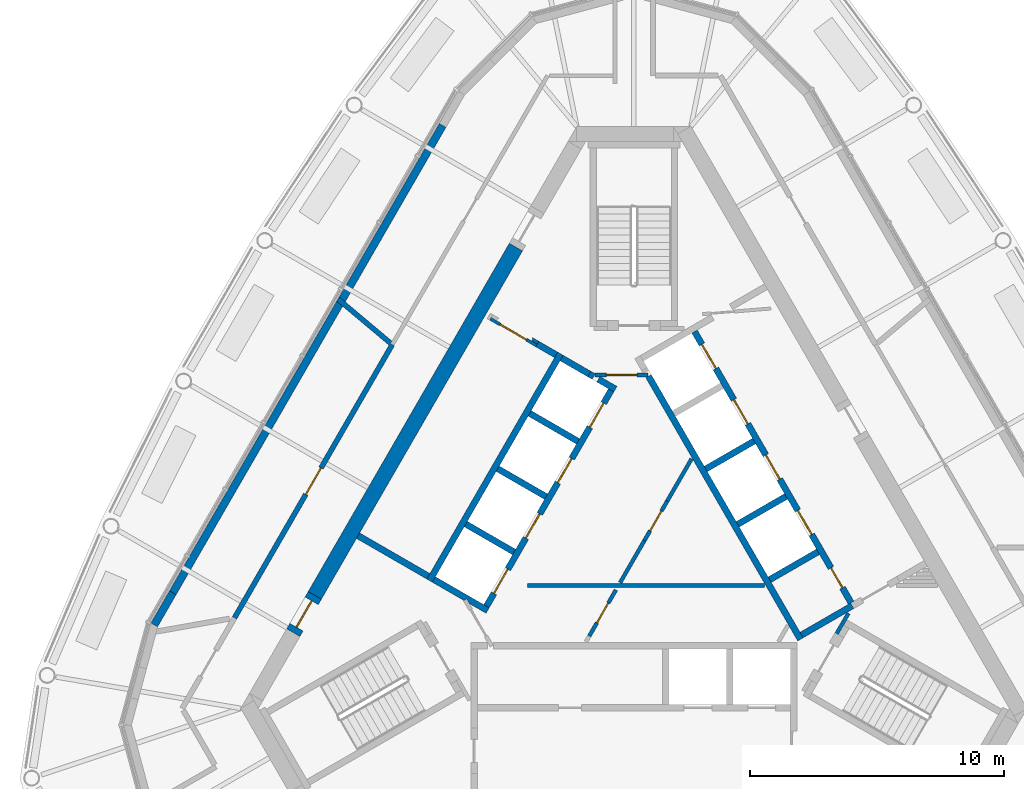
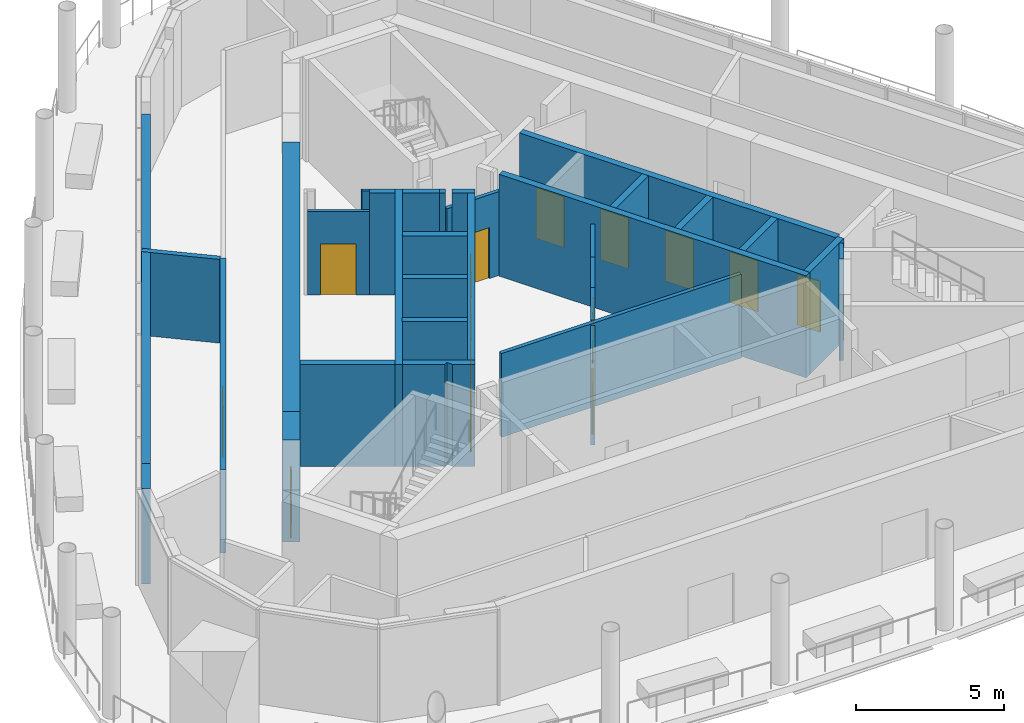
# One storey, part 7 of 15: 32 walls, 15 doors, 15 openings.
"""IFC4 building model written with IfcOpenShell, lengths in metres."""

from ifc_helpers import new_model, si_unit, direction, frame, frame_2d, origin, place, context, subcontext, project, spatial, polyline, rectangle, outline, extrude, material, layer, layer_set, type_object, element, fill, save


model = new_model("IFC4")

# Units and contexts
model_context = context("Model", 3, precision=1e-05, world=origin(), true_north=direction((0.0, 1.0)))
body_context = subcontext(model_context, "Body", "Model", "MODEL_VIEW")
ifc_project = project(units=[si_unit("LENGTHUNIT", "METRE"), si_unit("AREAUNIT", "SQUARE_METRE"), si_unit("VOLUMEUNIT", "CUBIC_METRE"), si_unit("PLANEANGLEUNIT", "RADIAN"), si_unit("MASSUNIT", "GRAM", prefix="KILO")], contexts=[model_context])

# Site, building, storey
site_placement = place(None, origin())
site = spatial("IfcSite", under=ifc_project, at=site_placement, CompositionType="ELEMENT")
building_placement = place(site_placement, origin())
building = spatial("IfcBuilding", under=site, at=building_placement, Name="Mestral Congress Tower", CompositionType="ELEMENT")
storey_placement = place(building_placement, frame((0.0, 0.0, 327.60009765625)))
storey = spatial("IfcBuildingStorey", under=building, at=storey_placement, Name="L76", CompositionType="ELEMENT", Elevation=327.60009765625)

# Walls
ifc_material_1 = material(Name="Fire-rated board partition")
ifc_layer_1 = layer(ifc_material_1, 0.14990234375)
ifc_layer_set_1 = layer_set([ifc_layer_1], Name="Fire-rated board partition")
wall_type_1 = type_object("IfcWallType", Name="Core partition 150", PredefinedType="PARTITIONING", material=ifc_layer_set_1)
wall_1_placement = place(storey_placement, frame((-4.199951171875, -1.5, 0.0), z_axis=(0.0, 0.0, 1.0), x_axis=(1.0, 0.0, 0.0)))
element("IfcWall", 1, at=wall_1_placement, inside=storey, type_object=wall_type_1, Name="L76 core wall", PredefinedType="PARTITIONING", context=body_context, shape_type="SweptSolid", body=[
    extrude(rectangle(XDim=9.359375, YDim=0.14990234375, at=frame_2d((4.6796875, 0.0))), origin(), (0.0, 0.0, 1.0), 3.449951171875),
])
wall_2_placement = place(storey_placement, frame((-0.54443359375, -1.393310546875, 0.0), z_axis=(0.0, 0.0, 1.0), x_axis=(0.499928740635, 0.866066541489, 0.0)))
element("IfcWall", 2, at=wall_2_placement, inside=storey, type_object=wall_type_1, Name="L76 core wall", PredefinedType="PARTITIONING", context=body_context, shape_type="SweptSolid", body=[
    extrude(rectangle(XDim=1.912353515625, YDim=0.14990234375, at=frame_2d((0.9560546875, 0.0))), origin(), (0.0, 0.0, 1.0), 3.449951171875),
])
wall_3_placement = place(storey_placement, frame((1.311767578125, 1.822021484375, 0.0), z_axis=(0.0, 0.0, 1.0), x_axis=(0.500003549559, 0.866023354436, 0.0)))
element("IfcWall", 3, at=wall_3_placement, inside=storey, type_object=wall_type_1, Name="L76 core wall", PredefinedType="PARTITIONING", context=body_context, shape_type="SweptSolid", body=[
    extrude(rectangle(XDim=1.9296875, YDim=0.14990234375, at=frame_2d((0.96484375, 0.0))), origin(), (0.0, 0.0, 1.0), 3.449951171875),
])

# Wall, opening, door
wall_4_placement = place(storey_placement, frame((-1.759765625, -3.498046875, 0.0), z_axis=(0.0, 0.0, 1.0), x_axis=(0.499977374825, 0.866038466041, 0.0)))
wall_4 = element("IfcWall", 4, at=wall_4_placement, inside=storey, type_object=wall_type_1, Name="L76 door wall", PredefinedType="PARTITIONING", context=body_context, shape_type="SweptSolid", body=[
    extrude(rectangle(XDim=2.10009765625, YDim=0.14990234375, at=frame_2d((1.050048828125, 0.0))), origin(), (0.0, 0.0, 1.0), 3.449951171875),
])
opening_1_placement = place(wall_4_placement, frame((0.60009765625, 0.0, 0.0)))
opening_1 = element("IfcOpeningElement", 5, at=opening_1_placement, cuts=wall_4, Name="Opening CD1-HUB0", PredefinedType="OPENING", context=body_context, shape_type="SweptSolid", body=[
    extrude(rectangle(XDim=0.89990234375, YDim=2.10009765625, at=frame_2d((0.449951171875, 1.050048828125))), frame((0.0, 0.0849609375, 0.0), z_axis=(0.0, -1.0, 0.0), x_axis=(1.0, 0.0, 0.0)), (0.0, 0.0, 1.0), 0.169921875),
])
ifc_material_2 = material(Name="Fire-rated steel door set", Category="steel")
door_type_1 = type_object("IfcDoorType", Name="Core door CD 900x2100", OperationType="SINGLE_SWING_LEFT", PredefinedType="DOOR", material=ifc_material_2)
door_1_placement = place(opening_1_placement, origin())
door_1 = element("IfcDoor", 6, at=door_1_placement, inside=storey, type_object=door_type_1, Name="Door CD1-HUB0", OperationType="SINGLE_SWING_LEFT", OverallHeight=2.10009765625, OverallWidth=0.89990234375, PredefinedType="DOOR", context=body_context, shape_type="SweptSolid", body=[
    extrude(rectangle(XDim=0.89990234375, YDim=2.10009765625, at=frame_2d((0.449951171875, 1.050048828125))), frame((0.0, 0.02490234375, 0.0), z_axis=(0.0, -1.0, 0.0), x_axis=(1.0, 0.0, 0.0)), (0.0, 0.0, 1.0), 0.050048828125),
])
fill(opening_1, door_1)

wall_5_placement = place(storey_placement, frame((-1.534423828125, 6.800048828125, 0.0), z_axis=(0.0, 0.0, 1.0), x_axis=(1.0, 0.0, 0.0)))
wall_5 = element("IfcWall", 7, at=wall_5_placement, inside=storey, type_object=wall_type_1, Name="L76 door wall", PredefinedType="PARTITIONING", context=body_context, shape_type="SweptSolid", body=[
    extrude(rectangle(XDim=2.099853515625, YDim=0.14990234375, at=frame_2d((1.0498046875, 0.0))), origin(), (0.0, 0.0, 1.0), 3.449951171875),
])
opening_2_placement = place(wall_5_placement, frame((0.449951171875, 0.0, 0.0)))
opening_2 = element("IfcOpeningElement", 8, at=opening_2_placement, cuts=wall_5, Name="Opening CD2-FF", PredefinedType="OPENING", context=body_context, shape_type="SweptSolid", body=[
    extrude(rectangle(XDim=1.199951171875, YDim=2.10009765625, at=frame_2d((0.60009765625, 1.050048828125))), frame((0.0, 0.0849609375, 0.0), z_axis=(0.0, -1.0, 0.0), x_axis=(1.0, 0.0, 0.0)), (0.0, 0.0, 1.0), 0.169921875),
])
door_type_2 = type_object("IfcDoorType", Name="Core door CD 1200x2100", OperationType="SINGLE_SWING_LEFT", PredefinedType="DOOR", material=ifc_material_2)
door_2_placement = place(opening_2_placement, origin())
door_2 = element("IfcDoor", 9, at=door_2_placement, inside=storey, type_object=door_type_2, Name="Door CD2-FF", OperationType="SINGLE_SWING_LEFT", OverallHeight=2.10009765625, OverallWidth=1.199951171875, PredefinedType="DOOR", context=body_context, shape_type="SweptSolid", body=[
    extrude(rectangle(XDim=1.199951171875, YDim=2.10009765625, at=frame_2d((0.60009765625, 1.050048828125))), frame((0.0, 0.02490234375, 0.0), z_axis=(0.0, -1.0, 0.0), x_axis=(1.0, 0.0, 0.0)), (0.0, 0.0, 1.0), 0.050048828125),
])
fill(opening_2, door_2)

wall_6_placement = place(storey_placement, frame((0.41162109375, 0.26318359375, 0.0), z_axis=(0.0, 0.0, 1.0), x_axis=(0.500062916607, 0.865989075817, 0.0)))
wall_6 = element("IfcWall", 10, at=wall_6_placement, inside=storey, type_object=wall_type_1, Name="L76 door wall", PredefinedType="PARTITIONING", context=body_context, shape_type="SweptSolid", body=[
    extrude(rectangle(XDim=1.800048828125, YDim=0.14990234375, at=frame_2d((0.89990234375, 0.0))), origin(), (0.0, 0.0, 1.0), 3.449951171875),
])
opening_3_placement = place(wall_6_placement, frame((0.449951171875, 0.0, 0.0)))
opening_3 = element("IfcOpeningElement", 11, at=opening_3_placement, cuts=wall_6, Name="Opening SD-HUB1", PredefinedType="OPENING", context=body_context, shape_type="SweptSolid", body=[
    extrude(rectangle(XDim=0.89990234375, YDim=2.10009765625, at=frame_2d((0.449951171875, 1.050048828125))), frame((0.0, 0.0849609375, 0.0), z_axis=(0.0, -1.0, 0.0), x_axis=(1.0, 0.0, 0.0)), (0.0, 0.0, 1.0), 0.169921875),
])
door_type_3 = type_object("IfcDoorType", Name="Core door SR 900x2100", OperationType="SINGLE_SWING_LEFT", PredefinedType="DOOR", material=ifc_material_2)
door_3_placement = place(opening_3_placement, origin())
door_3 = element("IfcDoor", 12, at=door_3_placement, inside=storey, type_object=door_type_3, Name="Door SD-HUB1", OperationType="SINGLE_SWING_LEFT", OverallHeight=2.10009765625, OverallWidth=0.89990234375, PredefinedType="DOOR", context=body_context, shape_type="SweptSolid", body=[
    extrude(rectangle(XDim=0.89990234375, YDim=2.10009765625, at=frame_2d((0.449951171875, 1.050048828125))), frame((0.0, 0.02490234375, 0.0), z_axis=(0.0, -1.0, 0.0), x_axis=(1.0, 0.0, 0.0)), (0.0, 0.0, 1.0), 0.050048828125),
])
fill(opening_3, door_3)

ifc_layer_2 = layer(ifc_material_1, 0.1201171875)
ifc_layer_set_2 = layer_set([ifc_layer_2], Name="Fire-rated board partition")
wall_type_2 = type_object("IfcWallType", Name="Core partition 150 door-wall 120", PredefinedType="PARTITIONING", material=ifc_layer_set_2)
wall_7_placement = place(storey_placement, frame((-5.65869140625, 9.01171875, 0.0), z_axis=(0.0, 0.0, 1.0), x_axis=(0.866009402589, -0.500027713859, 0.0)))
wall_7 = element("IfcWall", 13, at=wall_7_placement, inside=storey, type_object=wall_type_2, Name="L76 door wall", PredefinedType="PARTITIONING", context=body_context, shape_type="SweptSolid", body=[
    extrude(rectangle(XDim=2.10009765625, YDim=0.1201171875, at=frame_2d((1.050048828125, 0.0))), origin(), (0.0, 0.0, 1.0), 3.449951171875),
])
opening_4_placement = place(wall_7_placement, frame((0.449951171875, 0.0, 0.0)))
opening_4 = element("IfcOpeningElement", 14, at=opening_4_placement, cuts=wall_7, Name="Opening LB2-WL2", PredefinedType="OPENING", context=body_context, shape_type="SweptSolid", body=[
    extrude(rectangle(XDim=1.199951171875, YDim=2.10009765625, at=frame_2d((0.60009765625, 1.050048828125))), frame((0.0, 0.070068359375, 0.0), z_axis=(0.0, -1.0, 0.0), x_axis=(1.0, 0.0, 0.0)), (0.0, 0.0, 1.0), 0.14013671875),
])
door_type_4 = type_object("IfcDoorType", Name="Core door LB 1200x2100", OperationType="SINGLE_SWING_LEFT", PredefinedType="DOOR", material=ifc_material_2)
door_4_placement = place(opening_4_placement, origin())
door_4 = element("IfcDoor", 15, at=door_4_placement, inside=storey, type_object=door_type_4, Name="Door LB2-WL2", OperationType="SINGLE_SWING_LEFT", OverallHeight=2.10009765625, OverallWidth=1.199951171875, PredefinedType="DOOR", context=body_context, shape_type="SweptSolid", body=[
    extrude(rectangle(XDim=1.199951171875, YDim=2.10009765625, at=frame_2d((0.60009765625, 1.050048828125))), frame((0.0, 0.02490234375, 0.0), z_axis=(0.0, -1.0, 0.0), x_axis=(1.0, 0.0, 0.0)), (0.0, 0.0, 1.0), 0.050048828125),
])
fill(opening_4, door_4)

# Wall
ifc_material_3 = material(Name="Concrete C60/75", Category="concrete")
ifc_layer_3 = layer(ifc_material_3, 0.60009765625)
ifc_layer_set_3 = layer_set([ifc_layer_3], Name="Concrete C60/75")
wall_type_3 = type_object("IfcWallType", Name="Core wall RC 600", PredefinedType="SOLIDWALL", material=ifc_layer_set_3)
wall_8_placement = place(storey_placement, frame((-4.65234375, 11.841796875, 0.0), z_axis=(0.0, 0.0, 1.0), x_axis=(-0.500003640647, -0.866023301845, 0.0)))
element("IfcWall", 16, at=wall_8_placement, inside=storey, type_object=wall_type_3, Name="L76 core wall", PredefinedType="SOLIDWALL", context=body_context, shape_type="SweptSolid", body=[
    extrude(rectangle(XDim=15.8583984375, YDim=0.60009765625, at=frame_2d((7.92919921875, 0.0))), origin(), (0.0, 0.0, 1.0), 4.199951171875),
])

# Wall, opening, door
wall_9_placement = place(storey_placement, frame((-13.431640625, -3.3642578125, 0.0), z_axis=(0.0, 0.0, 1.0), x_axis=(0.500000056704, 0.866025371046, 0.0)))
wall_9 = element("IfcWall", 17, at=wall_9_placement, inside=storey, type_object=wall_type_3, Name="L76 door wall", PredefinedType="SOLIDWALL", context=body_context, shape_type="SweptSolid", body=[
    extrude(rectangle(XDim=1.7001953125, YDim=0.60009765625, at=frame_2d((0.85009765625, 0.0))), origin(), (0.0, 0.0, 1.0), 4.199951171875),
])
opening_5_placement = place(wall_9_placement, frame((0.25, 0.0, 0.0)))
opening_5 = element("IfcOpeningElement", 18, at=opening_5_placement, cuts=wall_9, Name="Opening XD3", PredefinedType="OPENING", context=body_context, shape_type="SweptSolid", body=[
    extrude(rectangle(XDim=1.199951171875, YDim=2.10009765625, at=frame_2d((0.60009765625, 1.050048828125))), frame((0.0, 0.31005859375, 0.0), z_axis=(0.0, -1.0, 0.0), x_axis=(1.0, 0.0, 0.0)), (0.0, 0.0, 1.0), 0.6201171875),
])
door_type_5 = type_object("IfcDoorType", Name="Core door XD 1200x2100", OperationType="SINGLE_SWING_LEFT", PredefinedType="DOOR", material=ifc_material_2)
door_5_placement = place(opening_5_placement, origin())
door_5 = element("IfcDoor", 19, at=door_5_placement, inside=storey, type_object=door_type_5, Name="Door XD3", OperationType="SINGLE_SWING_LEFT", OverallHeight=2.10009765625, OverallWidth=1.199951171875, PredefinedType="DOOR", context=body_context, shape_type="SweptSolid", body=[
    extrude(rectangle(XDim=1.199951171875, YDim=2.10009765625, at=frame_2d((0.60009765625, 1.050048828125))), frame((0.0, 0.02490234375, 0.0), z_axis=(0.0, -1.0, 0.0), x_axis=(1.0, 0.0, 0.0)), (0.0, 0.0, 1.0), 0.050048828125),
])
fill(opening_5, door_5)

# Walls
ifc_material_4 = material(Name="Precast concrete C40/50 with limestone facing", Category="masonry")
ifc_layer_4 = layer(ifc_material_4, 0.300048828125)
ifc_layer_set_4 = layer_set([ifc_layer_4], Name="Precast concrete C40/50 with limestone facing")
wall_type_4 = type_object("IfcWallType", Name="Crown plant block wall 300", PredefinedType="SOLIDWALL", material=ifc_layer_set_4)
wall_10_placement = place(storey_placement, frame((-18.180908203125, -1.790283203125, 0.0), z_axis=(0.0, 0.0, 1.0), x_axis=(-0.500049712553, -0.865996700326, 0.0)))
element("IfcWall", 20, at=wall_10_placement, inside=storey, type_object=wall_type_4, Name="Plant block wall 10", PredefinedType="SOLIDWALL", context=body_context, shape_type="SweptSolid", body=[
    extrude(rectangle(XDim=1.463623046875, YDim=0.300048828125, at=frame_2d((0.73193359375, 0.0))), origin(), (0.0, 0.0, 1.0), 3.949951171875),
])
ifc_layer_5 = layer(ifc_material_4, 0.300048828125)
ifc_layer_set_5 = layer_set([ifc_layer_5], Name="Precast concrete C40/50 with limestone facing")
wall_type_5 = type_object("IfcWallType", Name="Crown plant block wall 300 under girder", PredefinedType="SOLIDWALL", material=ifc_layer_set_5)
wall_11_placement = place(storey_placement, frame((-7.5400390625, 16.64013671875, 0.0), z_axis=(0.0, 0.0, 1.0), x_axis=(-0.500002158106, -0.866024157798, 0.0)))
element("IfcWall", 21, at=wall_11_placement, inside=storey, type_object=wall_type_5, Name="Plant block wall 10", PredefinedType="SOLIDWALL", context=body_context, shape_type="SweptSolid", body=[
    extrude(rectangle(XDim=21.28173828125, YDim=0.300048828125, at=frame_2d((10.640869140625, 0.0))), origin(), (0.0, 0.0, 1.0), 3.449951171875),
])
ifc_layer_6 = layer(ifc_material_3, 0.25)
ifc_layer_set_6 = layer_set([ifc_layer_6], Name="Concrete C60/75")
wall_type_6 = type_object("IfcWallType", Name="Shaft wall RC 250", PredefinedType="SOLIDWALL", material=ifc_layer_set_6)
wall_12_placement = place(storey_placement, frame((6.568359375, -3.626708984375, 0.0), z_axis=(0.0, 0.0, 1.0), x_axis=(-0.499999455981, 0.866025717874, 0.0)))
element("IfcWall", 22, at=wall_12_placement, inside=storey, type_object=wall_type_6, Name="L76 core wall", PredefinedType="SOLIDWALL", context=body_context, shape_type="SweptSolid", body=[
    extrude(rectangle(XDim=11.97802734375, YDim=0.25, at=frame_2d((5.989013671875, 0.0))), origin(), (0.0, 0.0, 1.0), 4.199951171875),
])
for number, where, z_axis, x_axis, name in (
    (23, (2.833984375, 3.091064453125, 0.0), (0.0, 0.0, 1.0), (0.866008176907, 0.50002983664, 0.0), "L76 core wall"),
    (24, (4.093994140625, 0.90869140625, 0.0), (0.0, 0.0, 1.0), (0.866008176907, 0.50002983664, 0.0), "L76 core wall"),
    (25, (5.35400390625, -1.273681640625, 0.0), (0.0, 0.0, 1.0), (0.866008176907, 0.50002983664, 0.0), "L76 core wall"),
):
    element("IfcWall", number, at=place(storey_placement, frame(where, z_axis=z_axis, x_axis=x_axis)), inside=storey, type_object=wall_type_6, Name=name, PredefinedType="SOLIDWALL", context=body_context, shape_type="SweptSolid", body=[
        extrude(rectangle(XDim=2.199951171875, YDim=0.25, at=frame_2d((1.10009765625, 0.0))), origin(), (0.0, 0.0, 1.0), 4.199951171875),
    ])
wall_13_placement = place(storey_placement, frame((6.614013671875, -3.4560546875, 0.0), z_axis=(0.0, 0.0, 1.0), x_axis=(0.866025089694, 0.500000544019, 0.0)))
element("IfcWall", 26, at=wall_13_placement, inside=storey, type_object=wall_type_6, Name="L76 core wall", PredefinedType="SOLIDWALL", context=body_context, shape_type="SweptSolid", body=[
    extrude(rectangle(XDim=2.30517578125, YDim=0.25, at=frame_2d((1.152587890625, 0.0))), origin(), (0.0, 0.0, 1.0), 4.199951171875),
])
wall_14_placement = place(storey_placement, frame((-8.06005859375, -1.310546875, 0.0), z_axis=(0.0, 0.0, 1.0), x_axis=(0.50000273126, 0.866023826885, 0.0)))
element("IfcWall", 27, at=wall_14_placement, inside=storey, type_object=wall_type_6, Name="L76 core wall", PredefinedType="SOLIDWALL", context=body_context, shape_type="SweptSolid", body=[
    extrude(rectangle(XDim=10.330078125, YDim=0.25, at=frame_2d((5.1650390625, 0.0))), origin(), (0.0, 0.0, 1.0), 4.199951171875),
])
wall_15_placement = place(storey_placement, frame((-1.75830078125, 6.834716796875, 0.0), z_axis=(0.0, 0.0, 1.0), x_axis=(0.865982457891, -0.500074377092, 0.0)))
element("IfcWall", 28, at=wall_15_placement, inside=storey, type_object=wall_type_6, Name="L76 core wall", PredefinedType="SOLIDWALL", context=body_context, shape_type="SweptSolid", body=[
    extrude(rectangle(XDim=0.2001953125, YDim=0.25, at=frame_2d((0.10009765625, 0.0))), origin(), (0.0, 0.0, 1.0), 4.199951171875),
])
wall_16_placement = place(storey_placement, frame((-1.760009765625, 6.835693359375, 0.0), z_axis=(0.0, 0.0, 1.0), x_axis=(-0.865952863304, 0.500125622755, 0.0)))
element("IfcWall", 29, at=wall_16_placement, inside=storey, type_object=wall_type_6, Name="L76 core wall", PredefinedType="SOLIDWALL", context=body_context, shape_type="SweptSolid", body=[
    extrude(rectangle(XDim=1.258056640625, YDim=0.25, at=frame_2d((0.62890625, 0.0))), origin(), (0.0, 0.0, 1.0), 4.199951171875),
])
wall_17_placement = place(storey_placement, frame((-0.7275390625, 6.23974609375, 0.0), z_axis=(0.0, 0.0, 1.0), x_axis=(-0.865955664968, 0.500120771724, 0.0)))
element("IfcWall", 30, at=wall_17_placement, inside=storey, type_object=wall_type_6, Name="L76 core wall", PredefinedType="SOLIDWALL", context=body_context, shape_type="SweptSolid", body=[
    extrude(rectangle(XDim=0.778076171875, YDim=0.25, at=frame_2d((0.38916015625, 0.0))), origin(), (0.0, 0.0, 1.0), 4.199951171875),
])
for number, where, z_axis, x_axis, name in (
    (31, (-2.2041015625, 4.182373046875, 0.0), (0.0, 0.0, 1.0), (-0.866008176907, 0.50002983664, 0.0), "L76 core wall"),
    (32, (-5.369384765625, 3.10009765625, 0.0), (0.0, 0.0, 1.0), (0.866008176907, -0.50002983664, 0.0), "L76 core wall"),
    (33, (-4.72412109375, -0.182373046875, 0.0), (0.0, 0.0, 1.0), (-0.866008176907, 0.50002983664, 0.0), "L76 core wall"),
):
    element("IfcWall", number, at=place(storey_placement, frame(where, z_axis=z_axis, x_axis=x_axis)), inside=storey, type_object=wall_type_6, Name=name, PredefinedType="SOLIDWALL", context=body_context, shape_type="SweptSolid", body=[
        extrude(rectangle(XDim=2.199951171875, YDim=0.25, at=frame_2d((1.10009765625, 0.0))), origin(), (0.0, 0.0, 1.0), 4.199951171875),
    ])
placement = place(storey_placement, origin())
element("IfcWall", 34, at=placement, inside=storey, type_object=wall_type_6, Name="L76 core wall", PredefinedType="SOLIDWALL", context=body_context, shape_type="SweptSolid", body=[
    extrude(outline(polyline([(-5.921630859375, -2.256591796875), (-5.921630859375, -2.256591796875), (-5.705078125, -2.381591796875), (-5.830078125, -2.597900390625), (-6.48291015625, -2.22119140625), (-6.59130859375, -2.033447265625), (-6.59130859375, -2.033447265625), (-6.69970703125, -2.095947265625), (-7.951904296875, -1.373046875), (-7.826904296875, -1.156494140625), (-5.921630859375, -2.256591796875)])), origin(), (0.0, 0.0, 1.0), 4.199951171875),
])
wall_19_placement = place(storey_placement, frame((-8.10595703125, -1.139892578125, 0.0), z_axis=(0.0, 0.0, 1.0), x_axis=(-0.866008981251, 0.500028443584, 0.0)))
element("IfcWall", 35, at=wall_19_placement, inside=storey, type_object=wall_type_6, Name="L76 core wall", PredefinedType="SOLIDWALL", context=body_context, shape_type="SweptSolid", body=[
    extrude(rectangle(XDim=3.199951171875, YDim=0.25, at=frame_2d((1.60009765625, 0.0))), origin(), (0.0, 0.0, 1.0), 4.199951171875),
])
wall_20_placement = place(storey_placement, frame((-3.06591796875, 7.58984375, 0.0), z_axis=(0.0, 0.0, 1.0), x_axis=(-0.866081358704, 0.49990307071, 0.0)))
element("IfcWall", 36, at=wall_20_placement, inside=storey, type_object=wall_type_6, Name="L76 core wall", PredefinedType="SOLIDWALL", context=body_context, shape_type="SweptSolid", body=[
    extrude(rectangle(XDim=0.858154296875, YDim=0.25, at=frame_2d((0.42919921875, 0.0))), origin(), (0.0, 0.0, 1.0), 4.199951171875),
])
element("IfcWall", 37, at=placement, inside=storey, type_object=wall_type_6, Name="L76 core wall", PredefinedType="SOLIDWALL", context=body_context, shape_type="SweptSolid", body=[
    extrude(outline(polyline([(-3.748291015625, 8.1279296875), (-3.813232421875, 8.015380859375), (-4.026611328125, 8.138671875), (-4.0166015625, 8.156005859375), (-4.007568359375, 8.17333984375), (-4.000244140625, 8.191650390625), (-3.994873046875, 8.21044921875), (-3.991455078125, 8.229736328125), (-3.98974609375, 8.24951171875), (-3.989990234375, 8.267578125), (-3.748291015625, 8.1279296875)])), origin(), (0.0, 0.0, 1.0), 4.199951171875),
])

# Wall, openings, doors
wall_22_placement = place(storey_placement, frame((8.565185546875, -2.185302734375, 0.0), z_axis=(0.0, 0.0, 1.0), x_axis=(-0.499997954832, 0.866026584559, 0.0)))
wall_22 = element("IfcWall", 38, at=wall_22_placement, inside=storey, type_object=wall_type_6, Name="L76 door wall", PredefinedType="SOLIDWALL", context=body_context, shape_type="SweptSolid", body=[
    extrude(rectangle(XDim=12.35009765625, YDim=0.25, at=frame_2d((6.175048828125, 0.0))), origin(), (0.0, 0.0, 1.0), 4.199951171875),
])
opening_6_placement = place(wall_22_placement, frame((0.68505859375, 0.0, 0.0)))
opening_6 = element("IfcOpeningElement", 39, at=opening_6_placement, cuts=wall_22, Name="Opening SR-NEB1", PredefinedType="OPENING", context=body_context, shape_type="SweptSolid", body=[
    extrude(rectangle(XDim=0.89990234375, YDim=2.10009765625, at=frame_2d((0.449951171875, 1.050048828125))), frame((0.0, 0.135009765625, 0.0), z_axis=(0.0, -1.0, 0.0), x_axis=(1.0, 0.0, 0.0)), (0.0, 0.0, 1.0), 0.27001953125),
])
opening_7_placement = place(wall_22_placement, frame((3.10498046875, 0.0, 0.0)))
opening_7 = element("IfcOpeningElement", 40, at=opening_7_placement, cuts=wall_22, Name="Opening LD-NEB2", PredefinedType="OPENING", context=body_context, shape_type="SweptSolid", body=[
    extrude(rectangle(XDim=1.10009765625, YDim=2.10009765625, at=frame_2d((0.550048828125, 1.050048828125))), frame((0.0, 0.135009765625, 0.0), z_axis=(0.0, -1.0, 0.0), x_axis=(1.0, 0.0, 0.0)), (0.0, 0.0, 1.0), 0.27001953125),
])
opening_8_placement = place(wall_22_placement, frame((5.625, 0.0, 0.0)))
opening_8 = element("IfcOpeningElement", 41, at=opening_8_placement, cuts=wall_22, Name="Opening LD-NEB3", PredefinedType="OPENING", context=body_context, shape_type="SweptSolid", body=[
    extrude(rectangle(XDim=1.10009765625, YDim=2.10009765625, at=frame_2d((0.550048828125, 1.050048828125))), frame((0.0, 0.135009765625, 0.0), z_axis=(0.0, -1.0, 0.0), x_axis=(1.0, 0.0, 0.0)), (0.0, 0.0, 1.0), 0.27001953125),
])
opening_9_placement = place(wall_22_placement, frame((8.14501953125, 0.0, 0.0)))
opening_9 = element("IfcOpeningElement", 42, at=opening_9_placement, cuts=wall_22, Name="Opening LD-NEB4", PredefinedType="OPENING", context=body_context, shape_type="SweptSolid", body=[
    extrude(rectangle(XDim=1.10009765625, YDim=2.10009765625, at=frame_2d((0.550048828125, 1.050048828125))), frame((0.0, 0.135009765625, 0.0), z_axis=(0.0, -1.0, 0.0), x_axis=(1.0, 0.0, 0.0)), (0.0, 0.0, 1.0), 0.27001953125),
])
opening_10_placement = place(wall_22_placement, frame((10.6650390625, 0.0, 0.0)))
opening_10 = element("IfcOpeningElement", 43, at=opening_10_placement, cuts=wall_22, Name="Opening LD-NEB5", PredefinedType="OPENING", context=body_context, shape_type="SweptSolid", body=[
    extrude(rectangle(XDim=1.10009765625, YDim=2.10009765625, at=frame_2d((0.550048828125, 1.050048828125))), frame((0.0, 0.135009765625, 0.0), z_axis=(0.0, -1.0, 0.0), x_axis=(1.0, 0.0, 0.0)), (0.0, 0.0, 1.0), 0.27001953125),
])
door_type_6 = type_object("IfcDoorType", Name="Core door LD 1100x2100", OperationType="DOUBLE_DOOR_SLIDING", PredefinedType="DOOR", material=ifc_material_2)
door_6_placement = place(opening_7_placement, origin())
door_6 = element("IfcDoor", 44, at=door_6_placement, inside=storey, type_object=door_type_6, Name="Door LD-NEB2", OperationType="DOUBLE_DOOR_SLIDING", OverallHeight=2.10009765625, OverallWidth=1.10009765625, PredefinedType="DOOR", context=body_context, shape_type="SweptSolid", body=[
    extrude(rectangle(XDim=1.10009765625, YDim=2.10009765625, at=frame_2d((0.550048828125, 1.050048828125))), frame((0.0, 0.02490234375, 0.0), z_axis=(0.0, -1.0, 0.0), x_axis=(1.0, 0.0, 0.0)), (0.0, 0.0, 1.0), 0.050048828125),
])
fill(opening_7, door_6)
door_7_placement = place(opening_8_placement, origin())
door_7 = element("IfcDoor", 45, at=door_7_placement, inside=storey, type_object=door_type_6, Name="Door LD-NEB3", OperationType="DOUBLE_DOOR_SLIDING", OverallHeight=2.10009765625, OverallWidth=1.10009765625, PredefinedType="DOOR", context=body_context, shape_type="SweptSolid", body=[
    extrude(rectangle(XDim=1.10009765625, YDim=2.10009765625, at=frame_2d((0.550048828125, 1.050048828125))), frame((0.0, 0.02490234375, 0.0), z_axis=(0.0, -1.0, 0.0), x_axis=(1.0, 0.0, 0.0)), (0.0, 0.0, 1.0), 0.050048828125),
])
fill(opening_8, door_7)
door_8_placement = place(opening_9_placement, origin())
door_8 = element("IfcDoor", 46, at=door_8_placement, inside=storey, type_object=door_type_6, Name="Door LD-NEB4", OperationType="DOUBLE_DOOR_SLIDING", OverallHeight=2.10009765625, OverallWidth=1.10009765625, PredefinedType="DOOR", context=body_context, shape_type="SweptSolid", body=[
    extrude(rectangle(XDim=1.10009765625, YDim=2.10009765625, at=frame_2d((0.550048828125, 1.050048828125))), frame((0.0, 0.02490234375, 0.0), z_axis=(0.0, -1.0, 0.0), x_axis=(1.0, 0.0, 0.0)), (0.0, 0.0, 1.0), 0.050048828125),
])
fill(opening_9, door_8)
door_9_placement = place(opening_10_placement, origin())
door_9 = element("IfcDoor", 47, at=door_9_placement, inside=storey, type_object=door_type_6, Name="Door LD-NEB5", OperationType="DOUBLE_DOOR_SLIDING", OverallHeight=2.10009765625, OverallWidth=1.10009765625, PredefinedType="DOOR", context=body_context, shape_type="SweptSolid", body=[
    extrude(rectangle(XDim=1.10009765625, YDim=2.10009765625, at=frame_2d((0.550048828125, 1.050048828125))), frame((0.0, 0.02490234375, 0.0), z_axis=(0.0, -1.0, 0.0), x_axis=(1.0, 0.0, 0.0)), (0.0, 0.0, 1.0), 0.050048828125),
])
fill(opening_10, door_9)
door_10_placement = place(opening_6_placement, origin())
door_10 = element("IfcDoor", 48, at=door_10_placement, inside=storey, type_object=door_type_3, Name="Door SR-NEB1", OperationType="SINGLE_SWING_LEFT", OverallHeight=2.10009765625, OverallWidth=0.89990234375, PredefinedType="DOOR", context=body_context, shape_type="SweptSolid", body=[
    extrude(rectangle(XDim=0.89990234375, YDim=2.10009765625, at=frame_2d((0.449951171875, 1.050048828125))), frame((0.0, 0.02490234375, 0.0), z_axis=(0.0, -1.0, 0.0), x_axis=(1.0, 0.0, 0.0)), (0.0, 0.0, 1.0), 0.050048828125),
])
fill(opening_6, door_10)

wall_23_placement = place(storey_placement, frame((-0.898193359375, 6.194091796875, 0.0), z_axis=(0.0, 0.0, 1.0), x_axis=(-0.499996202215, -0.866027596426, 0.0)))
wall_23 = element("IfcWall", 49, at=wall_23_placement, inside=storey, type_object=wall_type_6, Name="L76 door wall", PredefinedType="SOLIDWALL", context=body_context, shape_type="SweptSolid", body=[
    extrude(rectangle(XDim=9.830078125, YDim=0.25, at=frame_2d((4.9150390625, 0.0))), origin(), (0.0, 0.0, 1.0), 4.199951171875),
])
opening_11_placement = place(wall_23_placement, frame((0.5849609375, 0.0, 0.0)))
opening_11 = element("IfcOpeningElement", 50, at=opening_11_placement, cuts=wall_23, Name="Opening LD-NWB1", PredefinedType="OPENING", context=body_context, shape_type="SweptSolid", body=[
    extrude(rectangle(XDim=1.10009765625, YDim=2.10009765625, at=frame_2d((0.550048828125, 1.050048828125))), frame((0.0, 0.135009765625, 0.0), z_axis=(0.0, -1.0, 0.0), x_axis=(1.0, 0.0, 0.0)), (0.0, 0.0, 1.0), 0.27001953125),
])
opening_12_placement = place(wall_23_placement, frame((3.10498046875, 0.0, 0.0)))
opening_12 = element("IfcOpeningElement", 51, at=opening_12_placement, cuts=wall_23, Name="Opening LD-NWB2", PredefinedType="OPENING", context=body_context, shape_type="SweptSolid", body=[
    extrude(rectangle(XDim=1.10009765625, YDim=2.10009765625, at=frame_2d((0.550048828125, 1.050048828125))), frame((0.0, 0.135009765625, 0.0), z_axis=(0.0, -1.0, 0.0), x_axis=(1.0, 0.0, 0.0)), (0.0, 0.0, 1.0), 0.27001953125),
])
opening_13_placement = place(wall_23_placement, frame((5.625, 0.0, 0.0)))
opening_13 = element("IfcOpeningElement", 52, at=opening_13_placement, cuts=wall_23, Name="Opening LD-NWB3", PredefinedType="OPENING", context=body_context, shape_type="SweptSolid", body=[
    extrude(rectangle(XDim=1.10009765625, YDim=2.10009765625, at=frame_2d((0.550048828125, 1.050048828125))), frame((0.0, 0.135009765625, 0.0), z_axis=(0.0, -1.0, 0.0), x_axis=(1.0, 0.0, 0.0)), (0.0, 0.0, 1.0), 0.27001953125),
])
opening_14_placement = place(wall_23_placement, frame((8.14501953125, 0.0, 0.0)))
opening_14 = element("IfcOpeningElement", 53, at=opening_14_placement, cuts=wall_23, Name="Opening LD-NWB4", PredefinedType="OPENING", context=body_context, shape_type="SweptSolid", body=[
    extrude(rectangle(XDim=1.10009765625, YDim=2.10009765625, at=frame_2d((0.550048828125, 1.050048828125))), frame((0.0, 0.135009765625, 0.0), z_axis=(0.0, -1.0, 0.0), x_axis=(1.0, 0.0, 0.0)), (0.0, 0.0, 1.0), 0.27001953125),
])
door_11_placement = place(opening_11_placement, origin())
door_11 = element("IfcDoor", 54, at=door_11_placement, inside=storey, type_object=door_type_6, Name="Door LD-NWB1", OperationType="DOUBLE_DOOR_SLIDING", OverallHeight=2.10009765625, OverallWidth=1.10009765625, PredefinedType="DOOR", context=body_context, shape_type="SweptSolid", body=[
    extrude(rectangle(XDim=1.10009765625, YDim=2.10009765625, at=frame_2d((0.550048828125, 1.050048828125))), frame((0.0, 0.02490234375, 0.0), z_axis=(0.0, -1.0, 0.0), x_axis=(1.0, 0.0, 0.0)), (0.0, 0.0, 1.0), 0.050048828125),
])
fill(opening_11, door_11)
door_12_placement = place(opening_12_placement, origin())
door_12 = element("IfcDoor", 55, at=door_12_placement, inside=storey, type_object=door_type_6, Name="Door LD-NWB2", OperationType="DOUBLE_DOOR_SLIDING", OverallHeight=2.10009765625, OverallWidth=1.10009765625, PredefinedType="DOOR", context=body_context, shape_type="SweptSolid", body=[
    extrude(rectangle(XDim=1.10009765625, YDim=2.10009765625, at=frame_2d((0.550048828125, 1.050048828125))), frame((0.0, 0.02490234375, 0.0), z_axis=(0.0, -1.0, 0.0), x_axis=(1.0, 0.0, 0.0)), (0.0, 0.0, 1.0), 0.050048828125),
])
fill(opening_12, door_12)
door_13_placement = place(opening_13_placement, origin())
door_13 = element("IfcDoor", 56, at=door_13_placement, inside=storey, type_object=door_type_6, Name="Door LD-NWB3", OperationType="DOUBLE_DOOR_SLIDING", OverallHeight=2.10009765625, OverallWidth=1.10009765625, PredefinedType="DOOR", context=body_context, shape_type="SweptSolid", body=[
    extrude(rectangle(XDim=1.10009765625, YDim=2.10009765625, at=frame_2d((0.550048828125, 1.050048828125))), frame((0.0, 0.02490234375, 0.0), z_axis=(0.0, -1.0, 0.0), x_axis=(1.0, 0.0, 0.0)), (0.0, 0.0, 1.0), 0.050048828125),
])
fill(opening_13, door_13)
door_14_placement = place(opening_14_placement, origin())
door_14 = element("IfcDoor", 57, at=door_14_placement, inside=storey, type_object=door_type_6, Name="Door LD-NWB4", OperationType="DOUBLE_DOOR_SLIDING", OverallHeight=2.10009765625, OverallWidth=1.10009765625, PredefinedType="DOOR", context=body_context, shape_type="SweptSolid", body=[
    extrude(rectangle(XDim=1.10009765625, YDim=2.10009765625, at=frame_2d((0.550048828125, 1.050048828125))), frame((0.0, 0.02490234375, 0.0), z_axis=(0.0, -1.0, 0.0), x_axis=(1.0, 0.0, 0.0)), (0.0, 0.0, 1.0), 0.050048828125),
])
fill(opening_14, door_14)

# Wall
ifc_layer_7 = layer(ifc_material_3, 0.14990234375)
ifc_layer_set_7 = layer_set([ifc_layer_7], Name="Concrete C60/75")
wall_type_7 = type_object("IfcWallType", Name="Shaft wall RC 250 door-wall 150", PredefinedType="SOLIDWALL", material=ifc_layer_set_7)
wall_24_placement = place(storey_placement, frame((8.459228515625, -2.59912109375, 0.0), z_axis=(0.0, 0.0, 1.0), x_axis=(-0.500041054325, -0.866001699761, 0.0)))
element("IfcWall", 58, at=wall_24_placement, inside=storey, type_object=wall_type_7, Name="L76 core wall", PredefinedType="PARTITIONING", context=body_context, shape_type="SweptSolid", body=[
    extrude(rectangle(XDim=0.9287109375, YDim=0.14990234375, at=frame_2d((0.46435546875, 0.0))), origin(), (0.0, 0.0, 1.0), 4.199951171875),
])

# Wall, opening, door
ifc_material_5 = material(Name="Concrete block wall, plastered", Category="concrete")
ifc_layer_8 = layer(ifc_material_5, 0.199951171875)
ifc_layer_set_8 = layer_set([ifc_layer_8], Name="Concrete block wall, plastered")
wall_type_8 = type_object("IfcWallType", Name="Special partition 200 EI 120", PredefinedType="PARTITIONING", material=ifc_layer_set_8)
wall_25_placement = place(storey_placement, frame((-9.52880859375, 7.995849609375, 0.0), z_axis=(0.0, 0.0, 1.0), x_axis=(-0.499982954681, -0.866035244681, 0.0)))
wall_25 = element("IfcWall", 59, at=wall_25_placement, inside=storey, type_object=wall_type_8, Name="Partition", PredefinedType="PARTITIONING", context=body_context, shape_type="SweptSolid", body=[
    extrude(rectangle(XDim=12.439453125, YDim=0.199951171875, at=frame_2d((6.2197265625, 0.0))), origin(), (0.0, 0.0, 1.0), 3.449951171875),
])
opening_15_placement = place(wall_25_placement, frame((5.61962890625, 0.0, 0.0)))
opening_15 = element("IfcOpeningElement", 60, at=opening_15_placement, cuts=wall_25, Name="Opening K76-009", PredefinedType="OPENING", context=body_context, shape_type="SweptSolid", body=[
    extrude(rectangle(XDim=1.199951171875, YDim=2.10009765625, at=frame_2d((0.60009765625, 1.050048828125))), frame((0.0, 0.10986328125, 0.0), z_axis=(0.0, -1.0, 0.0), x_axis=(1.0, 0.0, 0.0)), (0.0, 0.0, 1.0), 0.219970703125),
])
door_type_7 = type_object("IfcDoorType", Name="Refuge door 1200x2100", OperationType="SINGLE_SWING_LEFT", PredefinedType="DOOR", material=ifc_material_2)
door_15_placement = place(opening_15_placement, origin())
door_15 = element("IfcDoor", 61, at=door_15_placement, inside=storey, type_object=door_type_7, Name="Door K76-009", OperationType="SINGLE_SWING_RIGHT", OverallHeight=2.10009765625, OverallWidth=1.199951171875, PredefinedType="DOOR", context=body_context, shape_type="SweptSolid", body=[
    extrude(rectangle(XDim=1.199951171875, YDim=2.10009765625, at=frame_2d((0.60009765625, 1.050048828125))), frame((0.0, 0.02490234375, 0.0), z_axis=(0.0, -1.0, 0.0), x_axis=(1.0, 0.0, 0.0)), (0.0, 0.0, 1.0), 0.050048828125),
])
fill(opening_15, door_15)

# Wall
wall_26_placement = place(storey_placement, frame((-9.60546875, 8.059814453125, 0.0), z_axis=(0.0, 0.0, 1.0), x_axis=(-0.766005403392, 0.642834132552, 0.0)))
element("IfcWall", 62, at=wall_26_placement, inside=storey, type_object=wall_type_8, Name="Partition", PredefinedType="PARTITIONING", context=body_context, shape_type="SweptSolid", body=[
    extrude(rectangle(XDim=2.687744140625, YDim=0.199951171875, at=frame_2d((1.34375, 0.0))), origin(), (0.0, 0.0, 1.0), 3.449951171875),
])

save(model, "model.ifc")
